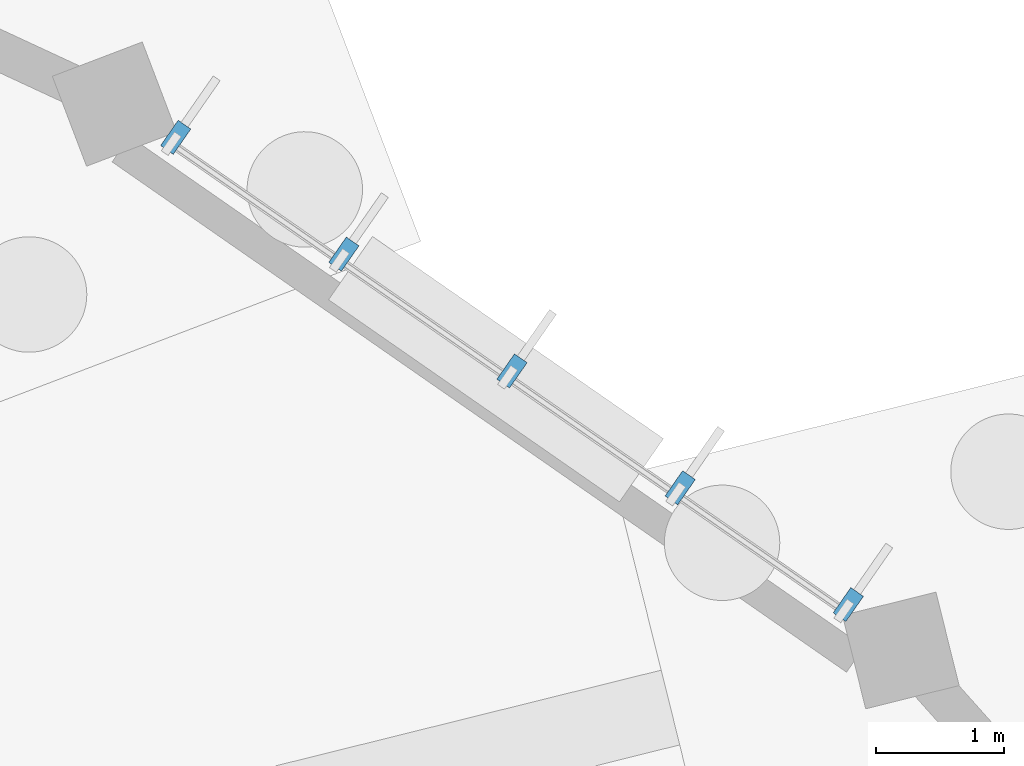
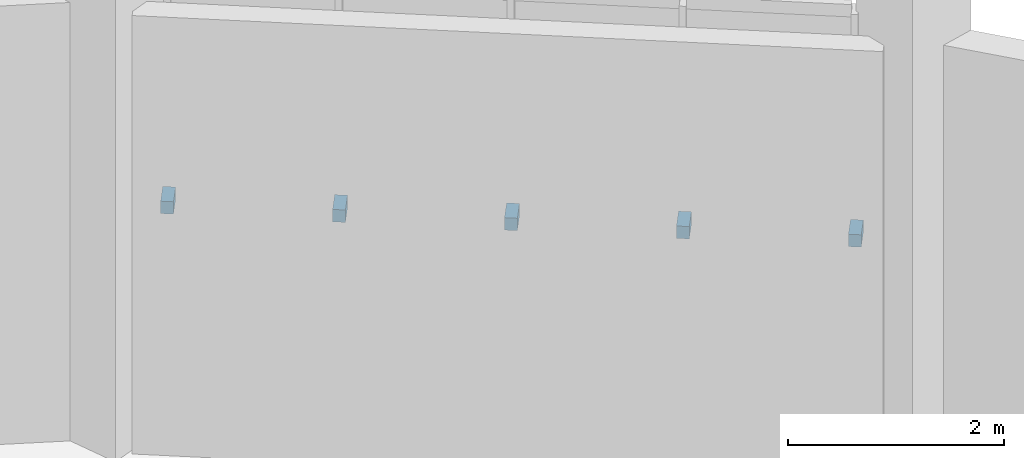
# One storey, part 109 of 140: 5 discrete accessories.
"""IFC4 building model written with IfcOpenShell, lengths in metres."""

from ifc_helpers import new_model, si_unit, direction, frame, origin, origin_2d, place, context, subcontext, project, spatial, rectangle, extrude, material, type_object, element, save


model = new_model("IFC4")

# Units and contexts
model_context = context("Model", 3, precision=1e-05, world=origin(), true_north=direction((0.0, 1.0)))
body_context = subcontext(model_context, "Body", "Model", "MODEL_VIEW")
ifc_project = project(units=[si_unit("LENGTHUNIT", "METRE"), si_unit("AREAUNIT", "SQUARE_METRE"), si_unit("VOLUMEUNIT", "CUBIC_METRE"), si_unit("PLANEANGLEUNIT", "RADIAN"), si_unit("MASSUNIT", "GRAM", prefix="KILO")], contexts=[model_context])

# Site, building, storey
site_placement = place(None, origin())
site = spatial("IfcSite", under=ifc_project, at=site_placement, CompositionType="ELEMENT")
building_placement = place(site_placement, origin())
building = spatial("IfcBuilding", under=site, at=building_placement, Name="Corvandel Quay Wholesale Market", CompositionType="ELEMENT")
storey_placement = place(building_placement, origin())
storey = spatial("IfcBuildingStorey", under=building, at=storey_placement, Name="L00", CompositionType="ELEMENT", Elevation=0.0)

# Discrete accessories
ifc_material = material(Name="Austenitic stainless steel Grade 316", Category="steel")
discrete_accessory_type = type_object("IfcDiscreteAccessoryType", Name="Stainless Solar Fin Fixing Bracket BRK01", PredefinedType="USERDEFINED", material=ifc_material)
for number, where, z_axis, x_axis, name in (
    (1, (163.2177734375, 128.67333984375, 2.5048828125), (0.0, 0.0, 1.0), (0.570570241419, 0.821248804935, 0.0), "Fin Bracket 0429"),
    (2, (161.9072265625, 129.583740234375, 2.5048828125), (0.0, 0.0, 1.0), (0.570570241419, 0.821248804935, 0.0), "Fin Bracket 0430"),
    (3, (160.5966796875, 130.494384765625, 2.5048828125), (0.0, 0.0, 1.0), (0.570570241419, 0.821248804935, 0.0), "Fin Bracket 0431"),
    (4, (159.2861328125, 131.40478515625, 2.5048828125), (0.0, 0.0, 1.0), (0.570570241419, 0.821248804935, 0.0), "Fin Bracket 0432"),
    (5, (157.9755859375, 132.315185546875, 2.5048828125), (0.0, 0.0, 1.0), (0.570570241419, 0.821248804935, 0.0), "Fin Bracket 0433"),
):
    element("IfcDiscreteAccessory", number, at=place(storey_placement, frame(where, z_axis=z_axis, x_axis=x_axis)), inside=storey, type_object=discrete_accessory_type, Name=name, ObjectType="BRACKET", PredefinedType="USERDEFINED", context=body_context, shape_type="SweptSolid", body=[
        extrude(rectangle(XDim=0.239990234375, YDim=0.1201171875, at=origin_2d()), origin(), (0.0, 0.0, 1.0), 0.139892578125),
    ])

save(model, "model.ifc")
